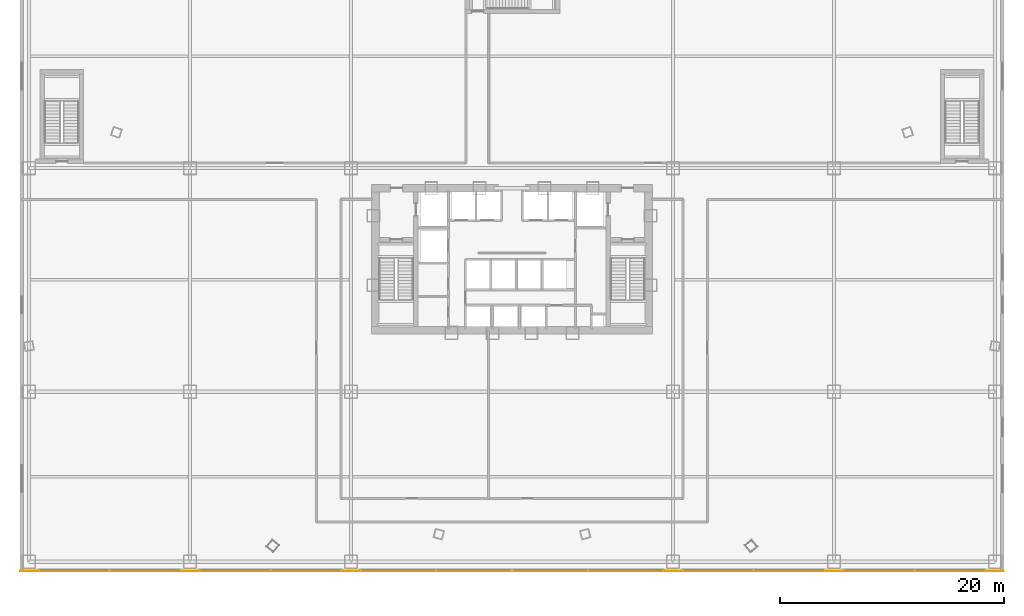
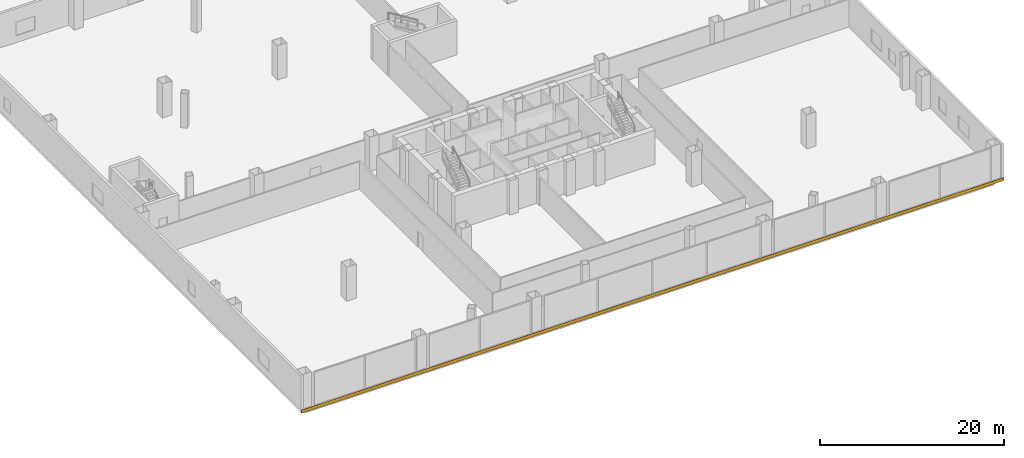
# One storey, part 23 of 27: 1 covering.
"""IFC4 building model written with IfcOpenShell, lengths in metres."""

from ifc_helpers import new_model, si_unit, direction, frame, origin, origin_2d, place, context, subcontext, project, spatial, rectangle, extrude, source, transform, mapped, material, layer, layer_set, type_object, element, save


model = new_model("IFC4")

# Units and contexts
model_context = context("Model", 3, precision=1e-05, world=origin(), true_north=direction((0.0, 1.0)))
body_context = subcontext(model_context, "Body", "Model", "MODEL_VIEW")
ifc_project = project(units=[si_unit("LENGTHUNIT", "METRE"), si_unit("AREAUNIT", "SQUARE_METRE"), si_unit("VOLUMEUNIT", "CUBIC_METRE"), si_unit("PLANEANGLEUNIT", "RADIAN"), si_unit("MASSUNIT", "GRAM", prefix="KILO"), si_unit("THERMODYNAMICTEMPERATUREUNIT", "KELVIN"), si_unit("POWERUNIT", "WATT")], contexts=[model_context])

# Site, building, storey
site_placement = place(None, origin())
site = spatial("IfcSite", under=ifc_project, at=site_placement, CompositionType="ELEMENT")
building_placement = place(site_placement, origin())
building = spatial("IfcBuilding", under=site, at=building_placement, Name="Yunzhuo Pagoda Commons", CompositionType="ELEMENT")
storey_placement = place(building_placement, frame((0.0, 0.0, 9.60009765625)))
storey = spatial("IfcBuildingStorey", under=building, at=storey_placement, Name="L03", CompositionType="ELEMENT", Elevation=9.60009765625)

# Covering
ifc_material = material(Name="Anodized aluminium 6063-T6", Category="aluminium")
ifc_layer = layer(ifc_material, 0.0400390625)
ifc_layer_set = layer_set([ifc_layer], Name="Anodized aluminium 6063-T6")
covering_type = type_object("IfcCoveringType", Name="COV-CLD1 Anodized Podium Fascia Cladding", PredefinedType="CLADDING", material=ifc_layer_set)
shared_shape = source(origin(), body_context, "Body", "SweptSolid", [
    extrude(rectangle(XDim=88.0, YDim=0.0400390625, at=origin_2d()), origin(), (0.0, 0.0, 1.0), 0.39990234375),
])
covering_placement = place(storey_placement, frame((48.0, 5.97998046875, -0.340087890625), z_axis=(0.0, 0.0, 1.0), x_axis=(1.0, 0.0, 0.0)))
element("IfcCovering", 1, at=covering_placement, inside=storey, type_object=covering_type, Name="L03 south podium fascia cladding", PredefinedType="CLADDING", context=body_context, shape_type="MappedRepresentation", body=[
    mapped(shared_shape, transform((0.0, 0.0, 0.0), scale=1.0)),
])

save(model, "model.ifc")
